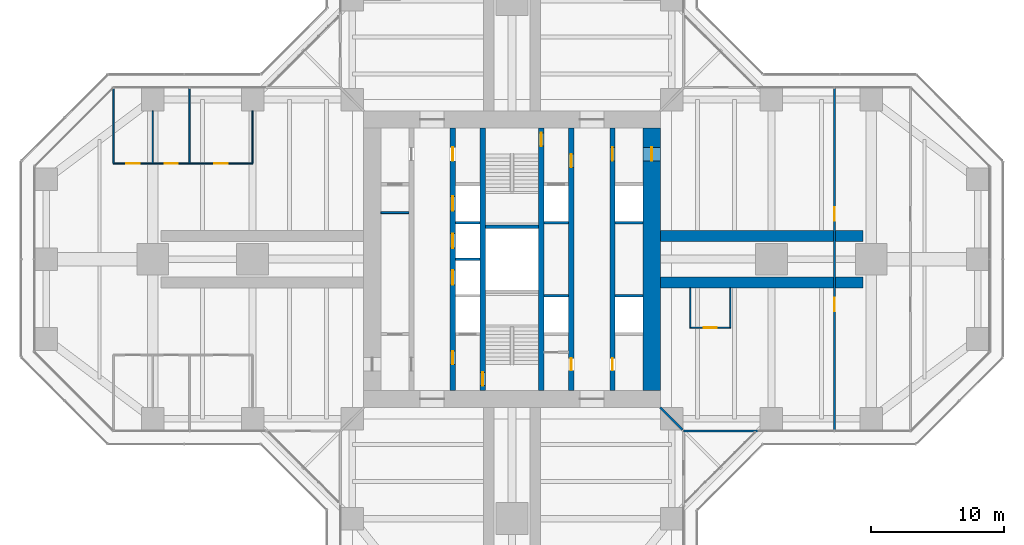
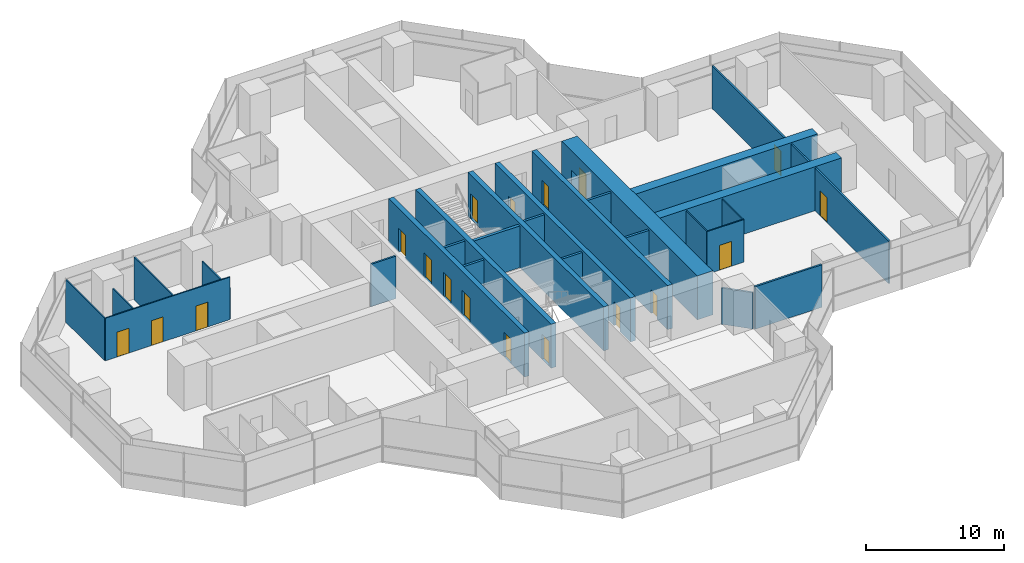
# One storey, part 16 of 20: 27 walls, 18 doors, 18 openings.
"""IFC4 building model written with IfcOpenShell, lengths in metres."""

from ifc_helpers import new_model, si_unit, direction, frame, frame_2d, origin, place, context, subcontext, project, spatial, rectangle, extrude, material, layer, layer_set, type_object, element, fill, save


model = new_model("IFC4")

# Units and contexts
model_context = context("Model", 3, precision=1e-05, world=origin(), true_north=direction((0.0, 1.0)))
body_context = subcontext(model_context, "Body", "Model", "MODEL_VIEW")
ifc_project = project(units=[si_unit("LENGTHUNIT", "METRE"), si_unit("AREAUNIT", "SQUARE_METRE"), si_unit("VOLUMEUNIT", "CUBIC_METRE"), si_unit("PLANEANGLEUNIT", "RADIAN"), si_unit("MASSUNIT", "GRAM", prefix="KILO")], contexts=[model_context])

# Site, building, storey
site_placement = place(None, origin())
site = spatial("IfcSite", under=ifc_project, at=site_placement, CompositionType="ELEMENT")
building_placement = place(site_placement, origin())
building = spatial("IfcBuilding", under=site, at=building_placement, Name="Mizan Broadcast Tower", CompositionType="ELEMENT")
storey_placement = place(building_placement, frame((0.0, 0.0, 171.0)))
storey = spatial("IfcBuildingStorey", under=building, at=storey_placement, Name="L39", CompositionType="ELEMENT", Elevation=171.0)

# Wall, openings, doors
ifc_material_1 = material(Name="Concrete C70/85", Category="concrete")
ifc_layer_1 = layer(ifc_material_1, 0.39990234375)
ifc_layer_set_1 = layer_set([ifc_layer_1], Name="Concrete C70/85")
wall_type_1 = type_object("IfcWallType", Name="CORE INTERNAL WALL 400", PredefinedType="SHEAR", material=ifc_layer_set_1)
wall_1_placement = place(storey_placement, frame((7.550048828125, 9.85009765625, 0.0), z_axis=(0.0, 0.0, 1.0), x_axis=(0.0, -1.0, 0.0)))
wall_1 = element("IfcWall", 1, at=wall_1_placement, inside=storey, type_object=wall_type_1, Name="Core wall CORE/XW1E", PredefinedType="SHEAR", context=body_context, shape_type="SweptSolid", body=[
    extrude(rectangle(XDim=19.7001953125, YDim=0.39990234375, at=frame_2d((9.85009765625, 0.0))), origin(), (0.0, 0.0, 1.0), 3.89990234375),
])
opening_1_placement = place(wall_1_placement, frame((1.449951171875, 0.0, 0.0)))
opening_1 = element("IfcOpeningElement", 2, at=opening_1_placement, cuts=wall_1, Name="Opening D10F", PredefinedType="OPENING", context=body_context, shape_type="SweptSolid", body=[
    extrude(rectangle(XDim=1.0, YDim=2.199951171875, at=frame_2d((0.5, 1.10009765625))), frame((0.0, 0.2099609375, 0.0), z_axis=(0.0, -1.0, 0.0), x_axis=(1.0, 0.0, 0.0)), (0.0, 0.0, 1.0), 0.419921875),
])
opening_2_placement = place(wall_1_placement, frame((17.300048828125, 0.0, 0.0)))
opening_2 = element("IfcOpeningElement", 3, at=opening_2_placement, cuts=wall_1, Name="Opening D09", PredefinedType="OPENING", context=body_context, shape_type="SweptSolid", body=[
    extrude(rectangle(XDim=0.89990234375, YDim=2.10009765625, at=frame_2d((0.449951171875, 1.050048828125))), frame((0.0, 0.2099609375, 0.0), z_axis=(0.0, -1.0, 0.0), x_axis=(1.0, 0.0, 0.0)), (0.0, 0.0, 1.0), 0.419921875),
])
ifc_material_2 = material(Name="Steel door leaf in steel frame", Category="steel")
door_type_1 = type_object("IfcDoorType", Name="FIRE DOOR 1000 FD90", OperationType="SINGLE_SWING_LEFT", PredefinedType="DOOR", material=ifc_material_2)
door_1_placement = place(opening_1_placement, origin())
door_1 = element("IfcDoor", 4, at=door_1_placement, inside=storey, type_object=door_type_1, Name="East core passage door", OperationType="SINGLE_SWING_LEFT", OverallHeight=2.199951171875, OverallWidth=1.0, PredefinedType="DOOR", context=body_context, shape_type="SweptSolid", body=[
    extrude(rectangle(XDim=1.0, YDim=2.199951171875, at=frame_2d((0.5, 1.10009765625))), frame((0.0, 0.02490234375, 0.0), z_axis=(0.0, -1.0, 0.0), x_axis=(1.0, 0.0, 0.0)), (0.0, 0.0, 1.0), 0.050048828125),
])
fill(opening_1, door_1)
ifc_material_3 = material(Name="Timber door leaf in aluminium frame", Category="wood")
door_type_2 = type_object("IfcDoorType", Name="TOILET DOOR 900", OperationType="SINGLE_SWING_LEFT", PredefinedType="DOOR", material=ifc_material_3)
door_2_placement = place(opening_2_placement, origin())
door_2 = element("IfcDoor", 5, at=door_2_placement, inside=storey, type_object=door_type_2, Name="Female WC door", OperationType="SINGLE_SWING_RIGHT", OverallHeight=2.10009765625, OverallWidth=0.89990234375, PredefinedType="DOOR", context=body_context, shape_type="SweptSolid", body=[
    extrude(rectangle(XDim=0.89990234375, YDim=2.10009765625, at=frame_2d((0.449951171875, 1.050048828125))), frame((0.0, 0.02490234375, 0.0), z_axis=(0.0, -1.0, 0.0), x_axis=(1.0, 0.0, 0.0)), (0.0, 0.0, 1.0), 0.050048828125),
])
fill(opening_2, door_2)

wall_2_placement = place(storey_placement, frame((-4.449951171875, -9.85009765625, 0.0), z_axis=(0.0, 0.0, 1.0), x_axis=(0.0, 1.0, 0.0)))
wall_2 = element("IfcWall", 6, at=wall_2_placement, inside=storey, type_object=wall_type_1, Name="Core wall CORE/XWH", PredefinedType="SHEAR", context=body_context, shape_type="SweptSolid", body=[
    extrude(rectangle(XDim=19.7001953125, YDim=0.39990234375, at=frame_2d((9.85009765625, 0.0))), origin(), (0.0, 0.0, 1.0), 3.89990234375),
])
opening_3_placement = place(wall_2_placement, frame((1.949951171875, 0.0, 0.0)))
opening_3 = element("IfcOpeningElement", 7, at=opening_3_placement, cuts=wall_2, Name="Opening D10F", PredefinedType="OPENING", context=body_context, shape_type="SweptSolid", body=[
    extrude(rectangle(XDim=1.0, YDim=2.199951171875, at=frame_2d((0.5, 1.10009765625))), frame((0.0, 0.2099609375, 0.0), z_axis=(0.0, -1.0, 0.0), x_axis=(1.0, 0.0, 0.0)), (0.0, 0.0, 1.0), 0.419921875),
])
opening_4_placement = place(wall_2_placement, frame((17.25, 0.0, 0.0)))
opening_4 = element("IfcOpeningElement", 8, at=opening_4_placement, cuts=wall_2, Name="Opening D10A", PredefinedType="OPENING", context=body_context, shape_type="SweptSolid", body=[
    extrude(rectangle(XDim=1.0, YDim=2.10009765625, at=frame_2d((0.5, 1.050048828125))), frame((0.0, 0.2099609375, 0.0), z_axis=(0.0, -1.0, 0.0), x_axis=(1.0, 0.0, 0.0)), (0.0, 0.0, 1.0), 0.419921875),
])
opening_5_placement = place(wall_2_placement, frame((7.925048828125, 0.0, 0.0)))
opening_5 = element("IfcOpeningElement", 9, at=opening_5_placement, cuts=wall_2, Name="Opening LD", PredefinedType="OPENING", context=body_context, shape_type="SweptSolid", body=[
    extrude(rectangle(XDim=1.10009765625, YDim=2.199951171875, at=frame_2d((0.550048828125, 1.10009765625))), frame((0.0, 0.2099609375, 0.0), z_axis=(0.0, -1.0, 0.0), x_axis=(1.0, 0.0, 0.0)), (0.0, 0.0, 1.0), 0.419921875),
])
opening_6_placement = place(wall_2_placement, frame((10.675048828125, 0.0, 0.0)))
opening_6 = element("IfcOpeningElement", 10, at=opening_6_placement, cuts=wall_2, Name="Opening LD", PredefinedType="OPENING", context=body_context, shape_type="SweptSolid", body=[
    extrude(rectangle(XDim=1.10009765625, YDim=2.199951171875, at=frame_2d((0.550048828125, 1.10009765625))), frame((0.0, 0.2099609375, 0.0), z_axis=(0.0, -1.0, 0.0), x_axis=(1.0, 0.0, 0.0)), (0.0, 0.0, 1.0), 0.419921875),
])
opening_7_placement = place(wall_2_placement, frame((13.47509765625, 0.0, 0.0)))
opening_7 = element("IfcOpeningElement", 11, at=opening_7_placement, cuts=wall_2, Name="Opening LD", PredefinedType="OPENING", context=body_context, shape_type="SweptSolid", body=[
    extrude(rectangle(XDim=1.10009765625, YDim=2.199951171875, at=frame_2d((0.550048828125, 1.10009765625))), frame((0.0, 0.2099609375, 0.0), z_axis=(0.0, -1.0, 0.0), x_axis=(1.0, 0.0, 0.0)), (0.0, 0.0, 1.0), 0.419921875),
])
ifc_material_4 = material(Name="Timber door leaf in aluminium frame", Category="wood")
door_type_3 = type_object("IfcDoorType", Name="ACCESSIBLE WC DOOR 1000", OperationType="SLIDING_TO_LEFT", PredefinedType="DOOR", material=ifc_material_4)
door_3_placement = place(opening_4_placement, origin())
door_3 = element("IfcDoor", 12, at=door_3_placement, inside=storey, type_object=door_type_3, Name="Accessible WC door", OperationType="SLIDING_TO_LEFT", OverallHeight=2.10009765625, OverallWidth=1.0, PredefinedType="DOOR", context=body_context, shape_type="SweptSolid", body=[
    extrude(rectangle(XDim=1.0, YDim=2.10009765625, at=frame_2d((0.5, 1.050048828125))), frame((0.0, 0.02490234375, 0.0), z_axis=(0.0, -1.0, 0.0), x_axis=(1.0, 0.0, 0.0)), (0.0, 0.0, 1.0), 0.050048828125),
])
fill(opening_4, door_3)
door_4_placement = place(opening_3_placement, origin())
door_4 = element("IfcDoor", 13, at=door_4_placement, inside=storey, type_object=door_type_1, Name="Firefighting lobby A door", OperationType="SINGLE_SWING_LEFT", OverallHeight=2.199951171875, OverallWidth=1.0, PredefinedType="DOOR", context=body_context, shape_type="SweptSolid", body=[
    extrude(rectangle(XDim=1.0, YDim=2.199951171875, at=frame_2d((0.5, 1.10009765625))), frame((0.0, 0.02490234375, 0.0), z_axis=(0.0, -1.0, 0.0), x_axis=(1.0, 0.0, 0.0)), (0.0, 0.0, 1.0), 0.050048828125),
])
fill(opening_3, door_4)
ifc_material_5 = material(Name="Steel door leaf in steel frame", Category="steel")
door_type_4 = type_object("IfcDoorType", Name="LIFT LANDING DOOR 1100", OperationType="SLIDING_TO_LEFT", PredefinedType="DOOR", material=ifc_material_5)
door_5_placement = place(opening_5_placement, origin())
door_5 = element("IfcDoor", 14, at=door_5_placement, inside=storey, type_object=door_type_4, Name="Landing door LB1", OperationType="SLIDING_TO_LEFT", OverallHeight=2.199951171875, OverallWidth=1.10009765625, PredefinedType="DOOR", context=body_context, shape_type="SweptSolid", body=[
    extrude(rectangle(XDim=1.10009765625, YDim=2.199951171875, at=frame_2d((0.550048828125, 1.10009765625))), frame((0.0, 0.02490234375, 0.0), z_axis=(0.0, -1.0, 0.0), x_axis=(1.0, 0.0, 0.0)), (0.0, 0.0, 1.0), 0.050048828125),
])
fill(opening_5, door_5)
door_6_placement = place(opening_6_placement, origin())
door_6 = element("IfcDoor", 15, at=door_6_placement, inside=storey, type_object=door_type_4, Name="Landing door LB2", OperationType="SLIDING_TO_LEFT", OverallHeight=2.199951171875, OverallWidth=1.10009765625, PredefinedType="DOOR", context=body_context, shape_type="SweptSolid", body=[
    extrude(rectangle(XDim=1.10009765625, YDim=2.199951171875, at=frame_2d((0.550048828125, 1.10009765625))), frame((0.0, 0.02490234375, 0.0), z_axis=(0.0, -1.0, 0.0), x_axis=(1.0, 0.0, 0.0)), (0.0, 0.0, 1.0), 0.050048828125),
])
fill(opening_6, door_6)
door_7_placement = place(opening_7_placement, origin())
door_7 = element("IfcDoor", 16, at=door_7_placement, inside=storey, type_object=door_type_4, Name="Landing door LB3", OperationType="SLIDING_TO_LEFT", OverallHeight=2.199951171875, OverallWidth=1.10009765625, PredefinedType="DOOR", context=body_context, shape_type="SweptSolid", body=[
    extrude(rectangle(XDim=1.10009765625, YDim=2.199951171875, at=frame_2d((0.550048828125, 1.10009765625))), frame((0.0, 0.02490234375, 0.0), z_axis=(0.0, -1.0, 0.0), x_axis=(1.0, 0.0, 0.0)), (0.0, 0.0, 1.0), 0.050048828125),
])
fill(opening_7, door_7)

wall_3_placement = place(storey_placement, frame((4.449951171875, 9.85009765625, 0.0), z_axis=(0.0, 0.0, 1.0), x_axis=(0.0, -1.0, 0.0)))
wall_3 = element("IfcWall", 17, at=wall_3_placement, inside=storey, type_object=wall_type_1, Name="Core wall CORE/XWHE", PredefinedType="SHEAR", context=body_context, shape_type="SweptSolid", body=[
    extrude(rectangle(XDim=19.7001953125, YDim=0.39990234375, at=frame_2d((9.85009765625, 0.0))), origin(), (0.0, 0.0, 1.0), 3.89990234375),
])
opening_8_placement = place(wall_3_placement, frame((1.949951171875, 0.0, 0.0)))
opening_8 = element("IfcOpeningElement", 18, at=opening_8_placement, cuts=wall_3, Name="Opening D10F", PredefinedType="OPENING", context=body_context, shape_type="SweptSolid", body=[
    extrude(rectangle(XDim=1.0, YDim=2.199951171875, at=frame_2d((0.5, 1.10009765625))), frame((0.0, 0.2099609375, 0.0), z_axis=(0.0, -1.0, 0.0), x_axis=(1.0, 0.0, 0.0)), (0.0, 0.0, 1.0), 0.419921875),
])
opening_9_placement = place(wall_3_placement, frame((17.300048828125, 0.0, 0.0)))
opening_9 = element("IfcOpeningElement", 19, at=opening_9_placement, cuts=wall_3, Name="Opening D09", PredefinedType="OPENING", context=body_context, shape_type="SweptSolid", body=[
    extrude(rectangle(XDim=0.89990234375, YDim=2.10009765625, at=frame_2d((0.449951171875, 1.050048828125))), frame((0.0, 0.2099609375, 0.0), z_axis=(0.0, -1.0, 0.0), x_axis=(1.0, 0.0, 0.0)), (0.0, 0.0, 1.0), 0.419921875),
])
door_8_placement = place(opening_8_placement, origin())
door_8 = element("IfcDoor", 20, at=door_8_placement, inside=storey, type_object=door_type_1, Name="Firefighting lobby B door", OperationType="SINGLE_SWING_LEFT", OverallHeight=2.199951171875, OverallWidth=1.0, PredefinedType="DOOR", context=body_context, shape_type="SweptSolid", body=[
    extrude(rectangle(XDim=1.0, YDim=2.199951171875, at=frame_2d((0.5, 1.10009765625))), frame((0.0, 0.02490234375, 0.0), z_axis=(0.0, -1.0, 0.0), x_axis=(1.0, 0.0, 0.0)), (0.0, 0.0, 1.0), 0.050048828125),
])
fill(opening_8, door_8)
door_9_placement = place(opening_9_placement, origin())
door_9 = element("IfcDoor", 21, at=door_9_placement, inside=storey, type_object=door_type_2, Name="Cleaner's store door", OperationType="SINGLE_SWING_RIGHT", OverallHeight=2.10009765625, OverallWidth=0.89990234375, PredefinedType="DOOR", context=body_context, shape_type="SweptSolid", body=[
    extrude(rectangle(XDim=0.89990234375, YDim=2.10009765625, at=frame_2d((0.449951171875, 1.050048828125))), frame((0.0, 0.02490234375, 0.0), z_axis=(0.0, -1.0, 0.0), x_axis=(1.0, 0.0, 0.0)), (0.0, 0.0, 1.0), 0.050048828125),
])
fill(opening_9, door_9)

# Wall, opening, door
wall_4_placement = place(storey_placement, frame((-2.199951171875, -9.85009765625, 0.0), z_axis=(0.0, 0.0, 1.0), x_axis=(0.0, 1.0, 0.0)))
wall_4 = element("IfcWall", 22, at=wall_4_placement, inside=storey, type_object=wall_type_1, Name="Core wall CORE/XW2", PredefinedType="SHEAR", context=body_context, shape_type="SweptSolid", body=[
    extrude(rectangle(XDim=19.7001953125, YDim=0.39990234375, at=frame_2d((9.85009765625, 0.0))), origin(), (0.0, 0.0, 1.0), 3.89990234375),
])
opening_10_placement = place(wall_4_placement, frame((0.35009765625, 0.0, 0.0)))
opening_10 = element("IfcOpeningElement", 23, at=opening_10_placement, cuts=wall_4, Name="Opening D10S", PredefinedType="OPENING", context=body_context, shape_type="SweptSolid", body=[
    extrude(rectangle(XDim=1.0, YDim=2.199951171875, at=frame_2d((0.5, 1.10009765625))), frame((0.0, 0.2099609375, 0.0), z_axis=(0.0, -1.0, 0.0), x_axis=(1.0, 0.0, 0.0)), (0.0, 0.0, 1.0), 0.419921875),
])
ifc_material_6 = material(Name="Steel door leaf in steel frame", Category="steel")
door_type_5 = type_object("IfcDoorType", Name="STAIR DOOR 1000 FD90S", OperationType="SINGLE_SWING_RIGHT", PredefinedType="DOOR", material=ifc_material_6)
door_10_placement = place(opening_10_placement, origin())
door_10 = element("IfcDoor", 24, at=door_10_placement, inside=storey, type_object=door_type_5, Name="Stair A door", OperationType="SINGLE_SWING_RIGHT", OverallHeight=2.199951171875, OverallWidth=1.0, PredefinedType="DOOR", context=body_context, shape_type="SweptSolid", body=[
    extrude(rectangle(XDim=1.0, YDim=2.199951171875, at=frame_2d((0.5, 1.10009765625))), frame((0.0, 0.02490234375, 0.0), z_axis=(0.0, -1.0, 0.0), x_axis=(1.0, 0.0, 0.0)), (0.0, 0.0, 1.0), 0.050048828125),
])
fill(opening_10, door_10)

wall_5_placement = place(storey_placement, frame((2.199951171875, 9.85009765625, 0.0), z_axis=(0.0, 0.0, 1.0), x_axis=(0.0, -1.0, 0.0)))
wall_5 = element("IfcWall", 25, at=wall_5_placement, inside=storey, type_object=wall_type_1, Name="Core wall CORE/XW2E", PredefinedType="SHEAR", context=body_context, shape_type="SweptSolid", body=[
    extrude(rectangle(XDim=19.7001953125, YDim=0.39990234375, at=frame_2d((9.85009765625, 0.0))), origin(), (0.0, 0.0, 1.0), 3.89990234375),
])
opening_11_placement = place(wall_5_placement, frame((0.35009765625, 0.0, 0.0)))
opening_11 = element("IfcOpeningElement", 26, at=opening_11_placement, cuts=wall_5, Name="Opening D10S", PredefinedType="OPENING", context=body_context, shape_type="SweptSolid", body=[
    extrude(rectangle(XDim=1.0, YDim=2.199951171875, at=frame_2d((0.5, 1.10009765625))), frame((0.0, 0.2099609375, 0.0), z_axis=(0.0, -1.0, 0.0), x_axis=(1.0, 0.0, 0.0)), (0.0, 0.0, 1.0), 0.419921875),
])
door_11_placement = place(opening_11_placement, origin())
door_11 = element("IfcDoor", 27, at=door_11_placement, inside=storey, type_object=door_type_5, Name="Stair B door", OperationType="SINGLE_SWING_RIGHT", OverallHeight=2.199951171875, OverallWidth=1.0, PredefinedType="DOOR", context=body_context, shape_type="SweptSolid", body=[
    extrude(rectangle(XDim=1.0, YDim=2.199951171875, at=frame_2d((0.5, 1.10009765625))), frame((0.0, 0.02490234375, 0.0), z_axis=(0.0, -1.0, 0.0), x_axis=(1.0, 0.0, 0.0)), (0.0, 0.0, 1.0), 0.050048828125),
])
fill(opening_11, door_11)

# Wall
ifc_material_7 = material(Name="Concrete blockwork", Category="masonry")
ifc_layer_2 = layer(ifc_material_7, 0.14990234375)
ifc_layer_set_2 = layer_set([ifc_layer_2], Name="Concrete blockwork")
wall_type_2 = type_object("IfcWallType", Name="CORE PARTITION 150", PredefinedType="SOLIDWALL", material=ifc_layer_set_2)
wall_6_placement = place(storey_placement, frame((-9.85009765625, 3.5, 0.0), z_axis=(0.0, 0.0, 1.0), x_axis=(1.0, 0.0, 0.0)))
element("IfcWall", 28, at=wall_6_placement, inside=storey, type_object=wall_type_2, Name="Core partition CORE/XP1", PredefinedType="SOLIDWALL", context=body_context, shape_type="SweptSolid", body=[
    extrude(rectangle(XDim=2.10009765625, YDim=0.14990234375, at=frame_2d((1.050048828125, 0.0))), origin(), (0.0, 0.0, 1.0), 3.77001953125),
])

# Wall, opening, door
ifc_material_8 = material(Name="Concrete C70/85", Category="concrete")
ifc_layer_3 = layer(ifc_material_8, 1.300048828125)
ifc_layer_set_3 = layer_set([ifc_layer_3], Name="Concrete C70/85")
wall_type_3 = type_object("IfcWallType", Name="CORE WALL 1300", PredefinedType="SHEAR", material=ifc_layer_set_3)
wall_7_placement = place(storey_placement, frame((10.5, -9.85009765625, 0.0), z_axis=(0.0, 0.0, 1.0), x_axis=(0.0, 1.0, 0.0)))
wall_7 = element("IfcWall", 29, at=wall_7_placement, inside=storey, type_object=wall_type_3, Name="Core wall E L39", PredefinedType="SHEAR", context=body_context, shape_type="SweptSolid", body=[
    extrude(rectangle(XDim=19.7001953125, YDim=1.300048828125, at=frame_2d((9.85009765625, 0.0))), origin(), (0.0, 0.0, 1.0), 3.89990234375),
])
opening_12_placement = place(wall_7_placement, frame((17.25, 0.0, 0.0)))
opening_12 = element("IfcOpeningElement", 30, at=opening_12_placement, cuts=wall_7, Name="Opening D10F", PredefinedType="OPENING", context=body_context, shape_type="SweptSolid", body=[
    extrude(rectangle(XDim=1.0, YDim=2.199951171875, at=frame_2d((0.5, 1.10009765625))), frame((0.0, 0.659912109375, 0.0), z_axis=(0.0, -1.0, 0.0), x_axis=(1.0, 0.0, 0.0)), (0.0, 0.0, 1.0), 1.320068359375),
])
door_12_placement = place(opening_12_placement, origin())
door_12 = element("IfcDoor", 31, at=door_12_placement, inside=storey, type_object=door_type_1, Name="East core passage arm door", OperationType="SINGLE_SWING_RIGHT", OverallHeight=2.199951171875, OverallWidth=1.0, PredefinedType="DOOR", context=body_context, shape_type="SweptSolid", body=[
    extrude(rectangle(XDim=1.0, YDim=2.199951171875, at=frame_2d((0.5, 1.10009765625))), frame((0.0, 0.02490234375, 0.0), z_axis=(0.0, -1.0, 0.0), x_axis=(1.0, 0.0, 0.0)), (0.0, 0.0, 1.0), 0.050048828125),
])
fill(opening_12, door_12)

# Walls
ifc_material_9 = material(Name="Aluminium framed glazed screen", Category="aluminium")
ifc_layer_4 = layer(ifc_material_9, 0.159912109375)
ifc_layer_set_4 = layer_set([ifc_layer_4], Name="Aluminium framed glazed screen")
wall_type_4 = type_object("IfcWallType", Name="GLAZED SCREEN WALL 160", PredefinedType="SOLIDWALL", material=ifc_layer_set_4)
wall_8_placement = place(storey_placement, frame((12.89990234375, -12.89990234375, 0.0), z_axis=(0.0, 0.0, 1.0), x_axis=(1.0, 0.0, 0.0)))
element("IfcWall", 32, at=wall_8_placement, inside=storey, type_object=wall_type_4, Name="Winter garden screen L39 E", PredefinedType="SOLIDWALL", context=body_context, shape_type="SweptSolid", body=[
    extrude(rectangle(XDim=5.60009765625, YDim=0.159912109375, at=frame_2d((2.800048828125, 0.0))), origin(), (0.0, 0.0, 1.0), 3.77001953125),
])
ifc_material_10 = material(Name="Concrete blockwork", Category="masonry")
ifc_layer_5 = layer(ifc_material_10, 0.199951171875)
ifc_layer_set_5 = layer_set([ifc_layer_5], Name="Concrete blockwork")
wall_type_5 = type_object("IfcWallType", Name="LIFT SHAFT WALL 200", PredefinedType="SOLIDWALL", material=ifc_layer_set_5)
wall_9_placement = place(storey_placement, frame((2.39990234375, -2.75, 0.0), z_axis=(0.0, 0.0, 1.0), x_axis=(1.0, 0.0, 0.0)))
element("IfcWall", 33, at=wall_9_placement, inside=storey, type_object=wall_type_5, Name="Lift shaft wall CORE/SE2-1", PredefinedType="SOLIDWALL", context=body_context, shape_type="SweptSolid", body=[
    extrude(rectangle(XDim=1.85009765625, YDim=0.199951171875, at=frame_2d((0.925048828125, 0.0))), origin(), (0.0, 0.0, 1.0), 3.699951171875),
])
wall_10_placement = place(storey_placement, frame((7.75, -2.75, 0.0), z_axis=(0.0, 0.0, 1.0), x_axis=(1.0, 0.0, 0.0)))
element("IfcWall", 34, at=wall_10_placement, inside=storey, type_object=wall_type_5, Name="Lift shaft wall CORE/SE1-1", PredefinedType="SOLIDWALL", context=body_context, shape_type="SweptSolid", body=[
    extrude(rectangle(XDim=2.10009765625, YDim=0.199951171875, at=frame_2d((1.050048828125, 0.0))), origin(), (0.0, 0.0, 1.0), 3.699951171875),
])
for number, where, z_axis, x_axis, name in (
    (35, (-4.25, 0.0, 0.0), (0.0, 0.0, 1.0), (1.0, 0.0, 0.0), "Lift shaft wall CORE/SW2-2"),
    (36, (-4.25, 2.75, 0.0), (0.0, 0.0, 1.0), (1.0, 0.0, 0.0), "Lift shaft wall CORE/SW2-3"),
    (37, (2.39990234375, 2.75, 0.0), (0.0, 0.0, 1.0), (1.0, 0.0, 0.0), "Lift shaft wall CORE/SE2-3"),
):
    element("IfcWall", number, at=place(storey_placement, frame(where, z_axis=z_axis, x_axis=x_axis)), inside=storey, type_object=wall_type_5, Name=name, PredefinedType="SOLIDWALL", context=body_context, shape_type="SweptSolid", body=[
        extrude(rectangle(XDim=1.85009765625, YDim=0.199951171875, at=frame_2d((0.925048828125, 0.0))), origin(), (0.0, 0.0, 1.0), 3.699951171875),
    ])
wall_11_placement = place(storey_placement, frame((7.75, 2.75, 0.0), z_axis=(0.0, 0.0, 1.0), x_axis=(1.0, 0.0, 0.0)))
element("IfcWall", 38, at=wall_11_placement, inside=storey, type_object=wall_type_5, Name="Lift shaft wall CORE/SE1-3", PredefinedType="SOLIDWALL", context=body_context, shape_type="SweptSolid", body=[
    extrude(rectangle(XDim=2.10009765625, YDim=0.199951171875, at=frame_2d((1.050048828125, 0.0))), origin(), (0.0, 0.0, 1.0), 3.699951171875),
])
ifc_material_11 = material(Name="Concrete blockwork", Category="masonry")
ifc_layer_6 = layer(ifc_material_11, 0.25)
ifc_layer_set_6 = layer_set([ifc_layer_6], Name="Concrete blockwork")
wall_type_6 = type_object("IfcWallType", Name="LOBBY ENCLOSURE WALL 250", PredefinedType="SOLIDWALL", material=ifc_layer_set_6)
wall_12_placement = place(storey_placement, frame((-2.0, 2.449951171875, 0.0), z_axis=(0.0, 0.0, 1.0), x_axis=(1.0, 0.0, 0.0)))
element("IfcWall", 39, at=wall_12_placement, inside=storey, type_object=wall_type_6, Name="Lobby enclosure wall CORE/STB", PredefinedType="SOLIDWALL", context=body_context, shape_type="SweptSolid", body=[
    extrude(rectangle(XDim=4.0, YDim=0.25, at=frame_2d((2.0, 0.0))), origin(), (0.0, 0.0, 1.0), 3.699951171875),
])

# Wall, openings, doors
ifc_material_12 = material(Name="Gypsum board on steel studs", Category="steel")
ifc_layer_7 = layer(ifc_material_12, 0.14990234375)
ifc_layer_set_7 = layer_set([ifc_layer_7], Name="Gypsum board on steel studs")
wall_type_7 = type_object("IfcWallType", Name="PARTITION 150", PredefinedType="PARTITIONING", material=ifc_layer_set_7)
wall_13_placement = place(storey_placement, frame((24.22900390625, -12.820068359375, 0.0), z_axis=(0.0, 0.0, 1.0), x_axis=(0.0, 1.0, 0.0)))
wall_13 = element("IfcWall", 40, at=wall_13_placement, inside=storey, type_object=wall_type_7, Name="Partition PT/EX1", PredefinedType="PARTITIONING", context=body_context, shape_type="SweptSolid", body=[
    extrude(rectangle(XDim=25.64013671875, YDim=0.14990234375, at=frame_2d((12.820068359375, 0.0))), origin(), (0.0, 0.0, 1.0), 3.77001953125),
])
opening_13_placement = place(wall_13_placement, frame((15.719970703125, 0.0, 0.0)))
opening_13 = element("IfcOpeningElement", 41, at=opening_13_placement, cuts=wall_13, Name="Opening D10", PredefinedType="OPENING", context=body_context, shape_type="SweptSolid", body=[
    extrude(rectangle(XDim=1.0, YDim=2.199951171875, at=frame_2d((0.5, 1.10009765625))), frame((0.0, 0.0849609375, 0.0), z_axis=(0.0, -1.0, 0.0), x_axis=(1.0, 0.0, 0.0)), (0.0, 0.0, 1.0), 0.169921875),
])
opening_14_placement = place(wall_13_placement, frame((8.919921875, 0.0, 0.0)))
opening_14 = element("IfcOpeningElement", 42, at=opening_14_placement, cuts=wall_13, Name="Opening D10", PredefinedType="OPENING", context=body_context, shape_type="SweptSolid", body=[
    extrude(rectangle(XDim=1.0, YDim=2.199951171875, at=frame_2d((0.5, 1.10009765625))), frame((0.0, 0.0849609375, 0.0), z_axis=(0.0, -1.0, 0.0), x_axis=(1.0, 0.0, 0.0)), (0.0, 0.0, 1.0), 0.169921875),
])
ifc_material_13 = material(Name="Timber door leaf in aluminium frame", Category="wood")
door_type_6 = type_object("IfcDoorType", Name="ROOM DOOR 1000", OperationType="SINGLE_SWING_LEFT", PredefinedType="DOOR", material=ifc_material_13)
door_13_placement = place(opening_13_placement, origin())
door_13 = element("IfcDoor", 43, at=door_13_placement, inside=storey, type_object=door_type_6, Name="Press briefing room door", OperationType="SINGLE_SWING_RIGHT", OverallHeight=2.199951171875, OverallWidth=1.0, PredefinedType="DOOR", context=body_context, shape_type="SweptSolid", body=[
    extrude(rectangle(XDim=1.0, YDim=2.199951171875, at=frame_2d((0.5, 1.10009765625))), frame((0.0, 0.02490234375, 0.0), z_axis=(0.0, -1.0, 0.0), x_axis=(1.0, 0.0, 0.0)), (0.0, 0.0, 1.0), 0.050048828125),
])
fill(opening_13, door_13)
door_14_placement = place(opening_14_placement, origin())
door_14 = element("IfcDoor", 44, at=door_14_placement, inside=storey, type_object=door_type_6, Name="Press briefing room door", OperationType="SINGLE_SWING_LEFT", OverallHeight=2.199951171875, OverallWidth=1.0, PredefinedType="DOOR", context=body_context, shape_type="SweptSolid", body=[
    extrude(rectangle(XDim=1.0, YDim=2.199951171875, at=frame_2d((0.5, 1.10009765625))), frame((0.0, 0.02490234375, 0.0), z_axis=(0.0, -1.0, 0.0), x_axis=(1.0, 0.0, 0.0)), (0.0, 0.0, 1.0), 0.050048828125),
])
fill(opening_14, door_14)

# Walls
wall_14_placement = place(storey_placement, frame((11.14990234375, -11.14990234375, 0.0), z_axis=(0.0, 0.0, 1.0), x_axis=(0.707106781187, -0.707106781187, 0.0)))
element("IfcWall", 45, at=wall_14_placement, inside=storey, type_object=wall_type_7, Name="Partition PT/DGES", PredefinedType="PARTITIONING", context=body_context, shape_type="SweptSolid", body=[
    extrude(rectangle(XDim=2.362060546875, YDim=0.14990234375, at=frame_2d((1.18115234375, 0.0))), origin(), (0.0, 0.0, 1.0), 3.219970703125),
])
ifc_material_14 = material(Name="Glazed aluminium partition on aluminium track", Category="aluminium")
ifc_layer_8 = layer(ifc_material_14, 0.10009765625)
ifc_layer_set_8 = layer_set([ifc_layer_8], Name="Glazed aluminium partition on aluminium track")
wall_type_8 = type_object("IfcWallType", Name="PARTITION GLAZED OFFICE FRONT 100", PredefinedType="PARTITIONING", material=ifc_layer_set_8)
for number, where, z_axis, x_axis, name in (
    (46, (13.39990234375, -2.14990234375, 0.0), (0.0, 0.0, 1.0), (0.0, -1.0, 0.0), "Glazed office front PT/EKN0a"),
    (47, (16.39990234375, -2.14990234375, 0.0), (0.0, 0.0, 1.0), (0.0, -1.0, 0.0), "Glazed office front PT/EKN0b"),
):
    element("IfcWall", number, at=place(storey_placement, frame(where, z_axis=z_axis, x_axis=x_axis)), inside=storey, type_object=wall_type_8, Name=name, PredefinedType="PARTITIONING", context=body_context, shape_type="SweptSolid", body=[
        extrude(rectangle(XDim=3.0, YDim=0.10009765625, at=frame_2d((1.5, 0.0))), origin(), (0.0, 0.0, 1.0), 3.77001953125),
    ])

# Wall, opening, door
wall_15_placement = place(storey_placement, frame((13.35009765625, -5.14990234375, 0.0), z_axis=(0.0, 0.0, 1.0), x_axis=(1.0, 0.0, 0.0)))
wall_15 = element("IfcWall", 48, at=wall_15_placement, inside=storey, type_object=wall_type_8, Name="Glazed office front PT/EKN0f", PredefinedType="PARTITIONING", context=body_context, shape_type="SweptSolid", body=[
    extrude(rectangle(XDim=3.099853515625, YDim=0.10009765625, at=frame_2d((1.5498046875, 0.0))), origin(), (0.0, 0.0, 1.0), 3.77001953125),
])
opening_15_placement = place(wall_15_placement, frame((1.050048828125, 0.0, 0.0)))
opening_15 = element("IfcOpeningElement", 49, at=opening_15_placement, cuts=wall_15, Name="Opening D10O", PredefinedType="OPENING", context=body_context, shape_type="SweptSolid", body=[
    extrude(rectangle(XDim=1.0, YDim=2.199951171875, at=frame_2d((0.5, 1.10009765625))), frame((0.0, 0.06005859375, 0.0), z_axis=(0.0, -1.0, 0.0), x_axis=(1.0, 0.0, 0.0)), (0.0, 0.0, 1.0), 0.1201171875),
])
ifc_material_15 = material(Name="Timber door leaf in aluminium frame", Category="wood")
door_type_7 = type_object("IfcDoorType", Name="OFFICE DOOR 1000 GLAZED", OperationType="SINGLE_SWING_LEFT", PredefinedType="DOOR", material=ifc_material_15)
door_15_placement = place(opening_15_placement, origin())
door_15 = element("IfcDoor", 50, at=door_15_placement, inside=storey, type_object=door_type_7, Name="Pantry door", OperationType="SINGLE_SWING_LEFT", OverallHeight=2.199951171875, OverallWidth=1.0, PredefinedType="DOOR", context=body_context, shape_type="SweptSolid", body=[
    extrude(rectangle(XDim=1.0, YDim=2.199951171875, at=frame_2d((0.5, 1.10009765625))), frame((0.0, 0.02490234375, 0.0), z_axis=(0.0, -1.0, 0.0), x_axis=(1.0, 0.0, 0.0)), (0.0, 0.0, 1.0), 0.050048828125),
])
fill(opening_15, door_15)

# Wall, openings, doors
wall_16_placement = place(storey_placement, frame((-19.5, 7.199951171875, 0.0), z_axis=(0.0, 0.0, 1.0), x_axis=(-1.0, 0.0, 0.0)))
wall_16 = element("IfcWall", 51, at=wall_16_placement, inside=storey, type_object=wall_type_8, Name="Glazed office front PT/WCN0", PredefinedType="PARTITIONING", context=body_context, shape_type="SweptSolid", body=[
    extrude(rectangle(XDim=10.458984375, YDim=0.10009765625, at=frame_2d((5.2294921875, 0.0))), origin(), (0.0, 0.0, 1.0), 3.77001953125),
])
opening_16_placement = place(wall_16_placement, frame((1.864501953125, 0.0, 0.0)))
opening_16 = element("IfcOpeningElement", 52, at=opening_16_placement, cuts=wall_16, Name="Opening D10O", PredefinedType="OPENING", context=body_context, shape_type="SweptSolid", body=[
    extrude(rectangle(XDim=1.0, YDim=2.199951171875, at=frame_2d((0.5, 1.10009765625))), frame((0.0, 0.06005859375, 0.0), z_axis=(0.0, -1.0, 0.0), x_axis=(1.0, 0.0, 0.0)), (0.0, 0.0, 1.0), 0.1201171875),
])
opening_17_placement = place(wall_16_placement, frame((5.614501953125, 0.0, 0.0)))
opening_17 = element("IfcOpeningElement", 53, at=opening_17_placement, cuts=wall_16, Name="Opening D10O", PredefinedType="OPENING", context=body_context, shape_type="SweptSolid", body=[
    extrude(rectangle(XDim=1.0, YDim=2.199951171875, at=frame_2d((0.5, 1.10009765625))), frame((0.0, 0.06005859375, 0.0), z_axis=(0.0, -1.0, 0.0), x_axis=(1.0, 0.0, 0.0)), (0.0, 0.0, 1.0), 0.1201171875),
])
opening_18_placement = place(wall_16_placement, frame((8.4794921875, 0.0, 0.0)))
opening_18 = element("IfcOpeningElement", 54, at=opening_18_placement, cuts=wall_16, Name="Opening D10O", PredefinedType="OPENING", context=body_context, shape_type="SweptSolid", body=[
    extrude(rectangle(XDim=1.0, YDim=2.199951171875, at=frame_2d((0.5, 1.10009765625))), frame((0.0, 0.06005859375, 0.0), z_axis=(0.0, -1.0, 0.0), x_axis=(1.0, 0.0, 0.0)), (0.0, 0.0, 1.0), 0.1201171875),
])
door_16_placement = place(opening_16_placement, origin())
door_16 = element("IfcDoor", 55, at=door_16_placement, inside=storey, type_object=door_type_7, Name="Project room door", OperationType="SINGLE_SWING_LEFT", OverallHeight=2.199951171875, OverallWidth=1.0, PredefinedType="DOOR", context=body_context, shape_type="SweptSolid", body=[
    extrude(rectangle(XDim=1.0, YDim=2.199951171875, at=frame_2d((0.5, 1.10009765625))), frame((0.0, 0.02490234375, 0.0), z_axis=(0.0, -1.0, 0.0), x_axis=(1.0, 0.0, 0.0)), (0.0, 0.0, 1.0), 0.050048828125),
])
fill(opening_16, door_16)
door_17_placement = place(opening_17_placement, origin())
door_17 = element("IfcDoor", 56, at=door_17_placement, inside=storey, type_object=door_type_7, Name="Office door", OperationType="SINGLE_SWING_RIGHT", OverallHeight=2.199951171875, OverallWidth=1.0, PredefinedType="DOOR", context=body_context, shape_type="SweptSolid", body=[
    extrude(rectangle(XDim=1.0, YDim=2.199951171875, at=frame_2d((0.5, 1.10009765625))), frame((0.0, 0.02490234375, 0.0), z_axis=(0.0, -1.0, 0.0), x_axis=(1.0, 0.0, 0.0)), (0.0, 0.0, 1.0), 0.050048828125),
])
fill(opening_17, door_17)
door_18_placement = place(opening_18_placement, origin())
door_18 = element("IfcDoor", 57, at=door_18_placement, inside=storey, type_object=door_type_7, Name="Meeting room door", OperationType="SINGLE_SWING_RIGHT", OverallHeight=2.199951171875, OverallWidth=1.0, PredefinedType="DOOR", context=body_context, shape_type="SweptSolid", body=[
    extrude(rectangle(XDim=1.0, YDim=2.199951171875, at=frame_2d((0.5, 1.10009765625))), frame((0.0, 0.02490234375, 0.0), z_axis=(0.0, -1.0, 0.0), x_axis=(1.0, 0.0, 0.0)), (0.0, 0.0, 1.0), 0.050048828125),
])
fill(opening_18, door_18)

# Walls
wall_17_placement = place(storey_placement, frame((-19.5, 7.199951171875, 0.0), z_axis=(0.0, 0.0, 1.0), x_axis=(0.0, 1.0, 0.0)))
element("IfcWall", 58, at=wall_17_placement, inside=storey, type_object=wall_type_8, Name="Glazed office front PT/WQN1950", PredefinedType="PARTITIONING", context=body_context, shape_type="SweptSolid", body=[
    extrude(rectangle(XDim=3.949951171875, YDim=0.10009765625, at=frame_2d((1.97509765625, 0.0))), origin(), (0.0, 0.0, 1.0), 2.77001953125),
])
wall_18_placement = place(storey_placement, frame((-24.22900390625, 7.199951171875, 0.0), z_axis=(0.0, 0.0, 1.0), x_axis=(0.0, 1.0, 0.0)))
element("IfcWall", 59, at=wall_18_placement, inside=storey, type_object=wall_type_8, Name="Glazed office front PT/WQN2423", PredefinedType="PARTITIONING", context=body_context, shape_type="SweptSolid", body=[
    extrude(rectangle(XDim=5.6201171875, YDim=0.10009765625, at=frame_2d((2.81005859375, 0.0))), origin(), (0.0, 0.0, 1.0), 3.77001953125),
])
wall_19_placement = place(storey_placement, frame((-27.0, 7.199951171875, 0.0), z_axis=(0.0, 0.0, 1.0), x_axis=(0.0, 1.0, 0.0)))
element("IfcWall", 60, at=wall_19_placement, inside=storey, type_object=wall_type_8, Name="Glazed office front PT/WQN2700", PredefinedType="PARTITIONING", context=body_context, shape_type="SweptSolid", body=[
    extrude(rectangle(XDim=3.949951171875, YDim=0.10009765625, at=frame_2d((1.97509765625, 0.0))), origin(), (0.0, 0.0, 1.0), 2.969970703125),
])
wall_20_placement = place(storey_placement, frame((-29.958984375, 7.199951171875, 0.0), z_axis=(0.0, 0.0, 1.0), x_axis=(0.0, 1.0, 0.0)))
element("IfcWall", 61, at=wall_20_placement, inside=storey, type_object=wall_type_8, Name="Glazed office front PT/WQN2996", PredefinedType="PARTITIONING", context=body_context, shape_type="SweptSolid", body=[
    extrude(rectangle(XDim=5.6201171875, YDim=0.10009765625, at=frame_2d((2.81005859375, 0.0))), origin(), (0.0, 0.0, 1.0), 3.77001953125),
])
ifc_material_16 = material(Name="Concrete C70/85", Category="concrete")
ifc_layer_9 = layer(ifc_material_16, 0.800048828125)
ifc_layer_set_9 = layer_set([ifc_layer_9], Name="Concrete C70/85")
wall_type_9 = type_object("IfcWallType", Name="SPINE WALL 800", PredefinedType="SHEAR", material=ifc_layer_set_9)
for number, where, z_axis, x_axis, name in (
    (62, (11.14990234375, -1.75, 0.0), (0.0, 0.0, 1.0), (1.0, 0.0, 0.0), "Spine wall ER L39"),
    (63, (11.14990234375, 1.75, 0.0), (0.0, 0.0, 1.0), (1.0, 0.0, 0.0), "Spine wall EL L39"),
):
    element("IfcWall", number, at=place(storey_placement, frame(where, z_axis=z_axis, x_axis=x_axis)), inside=storey, type_object=wall_type_9, Name=name, PredefinedType="SHEAR", context=body_context, shape_type="SweptSolid", body=[
        extrude(rectangle(XDim=15.25, YDim=0.800048828125, at=frame_2d((7.625, 0.0))), origin(), (0.0, 0.0, 1.0), 3.89990234375),
    ])

save(model, "model.ifc")
